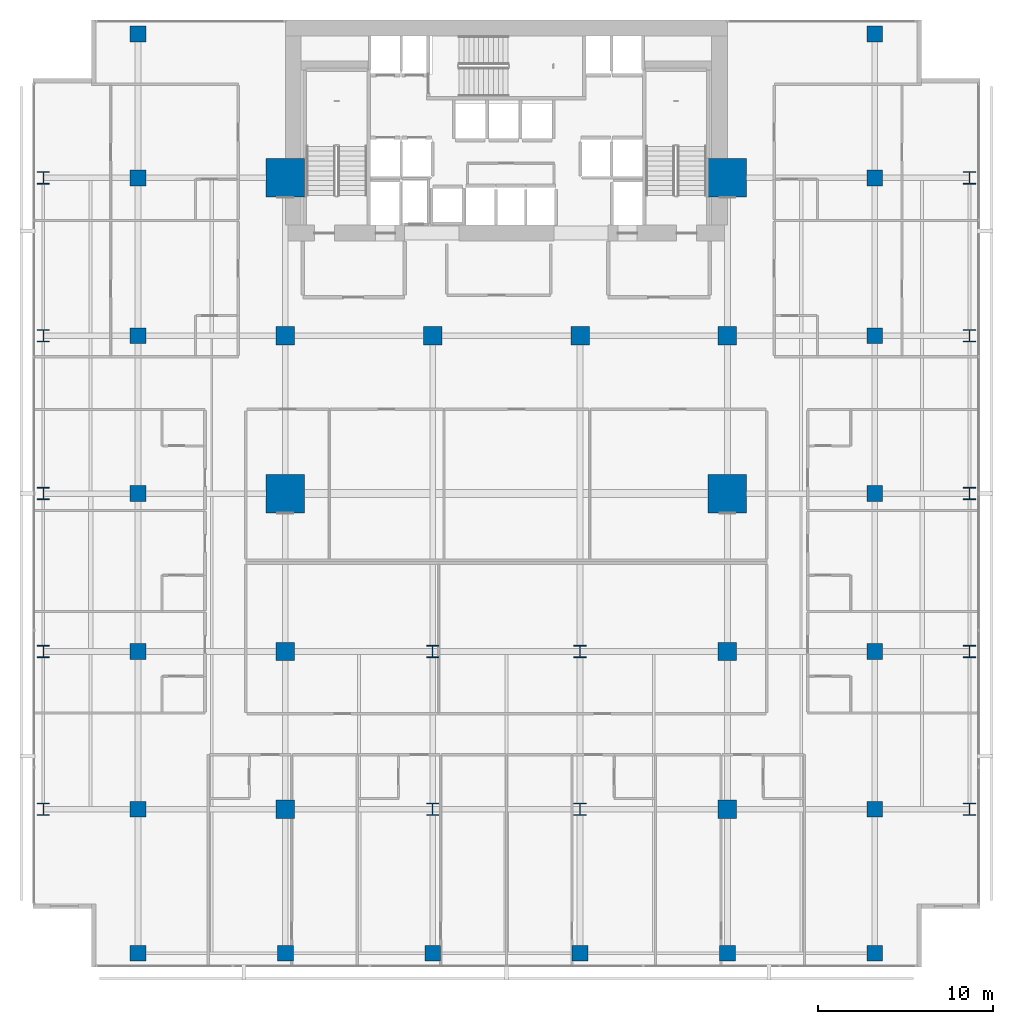
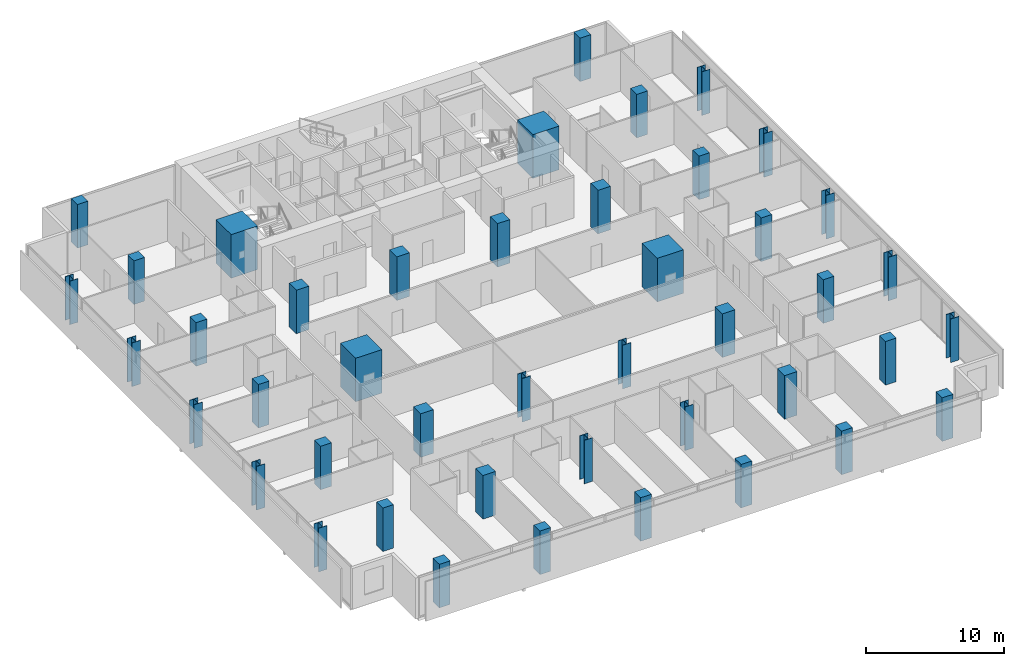
# One storey, part 1 of 40: 44 columns.
"""IFC4 building model written with IfcOpenShell, lengths in metres."""

from ifc_helpers import new_model, si_unit, direction, frame, origin, origin_2d, place, context, subcontext, project, spatial, rectangle, i_section, extrude, material, material_profile, profile_set, type_object, element, save


model = new_model("IFC4")

# Units and contexts
model_context = context("Model", 3, precision=1e-05, world=origin(), true_north=direction((0.0, 1.0)))
body_context = subcontext(model_context, "Body", "Model", "MODEL_VIEW")
ifc_project = project(units=[si_unit("LENGTHUNIT", "METRE"), si_unit("AREAUNIT", "SQUARE_METRE"), si_unit("VOLUMEUNIT", "CUBIC_METRE"), si_unit("PLANEANGLEUNIT", "RADIAN"), si_unit("MASSUNIT", "GRAM", prefix="KILO")], contexts=[model_context])

# Site, building, storey
site_placement = place(None, origin())
site = spatial("IfcSite", under=ifc_project, at=site_placement, CompositionType="ELEMENT")
building_placement = place(site_placement, origin())
building = spatial("IfcBuilding", under=site, at=building_placement, Name="Maruvema Waterfront Hotel and Observation Tower", CompositionType="ELEMENT")
storey_placement = place(building_placement, frame((0.0, 0.0, 88.550048828125)))
storey = spatial("IfcBuildingStorey", under=building, at=storey_placement, Name="L21", CompositionType="ELEMENT", Elevation=88.550048828125)

# Columns
ifc_material_1 = material(Name="Concrete C80/95", Category="concrete")
ifc_material_profile_1 = material_profile(ifc_material_1, rectangle(XDim=2.199951171875, YDim=2.199951171875, at=origin_2d()), Name="MC2200x2200")
ifc_profile_set_1 = profile_set([ifc_material_profile_1], Name="Concrete C80/95")
column_type_1 = type_object("IfcColumnType", Name="Continuous Mega-Column MC2200x2200", PredefinedType="COLUMN", material=ifc_profile_set_1)
for number, where, z_axis, x_axis, name in (
    (1, (25.199951171875, 27.0, 0.0), (0.0, 0.0, 1.0), (1.0, 0.0, 0.0), "L21 Continuous Mega-Column MC-01"),
    (2, (50.39990234375, 27.0, 0.0), (0.0, 0.0, 1.0), (1.0, 0.0, 0.0), "L21 Continuous Mega-Column MC-02"),
    (3, (25.199951171875, 45.0, 0.0), (0.0, 0.0, 1.0), (1.0, 0.0, 0.0), "L21 Continuous Mega-Column MC-03"),
    (4, (50.39990234375, 45.0, 0.0), (0.0, 0.0, 1.0), (1.0, 0.0, 0.0), "L21 Continuous Mega-Column MC-04"),
):
    element("IfcColumn", number, at=place(storey_placement, frame(where, z_axis=z_axis, x_axis=x_axis)), inside=storey, type_object=column_type_1, Name=name, PredefinedType="COLUMN", context=body_context, shape_type="SweptSolid", body=[
        extrude(rectangle(XDim=2.199951171875, YDim=2.199951171875, at=origin_2d()), origin(), (0.0, 0.0, 1.0), 3.849853515625),
    ])
ifc_material_2 = material(Name="Concrete C60/75", Category="concrete")
ifc_material_profile_2 = material_profile(ifc_material_2, rectangle(XDim=1.050048828125, YDim=1.050048828125, at=origin_2d()), Name="RC1050x1050")
ifc_profile_set_2 = profile_set([ifc_material_profile_2], Name="Concrete C60/75")
column_type_2 = type_object("IfcColumnType", Name="Reinforced Concrete Column RC1050x1050", PredefinedType="COLUMN", material=ifc_profile_set_2)
for number, where, z_axis, x_axis, name in (
    (5, (25.199951171875, 36.0, 0.0), (0.0, 0.0, 1.0), (1.0, 0.0, 0.0), "L21 Column C-4E"),
    (6, (33.60009765625, 36.0, 0.0), (0.0, 0.0, 1.0), (1.0, 0.0, 0.0), "L21 Column C-5E"),
    (7, (42.0, 36.0, 0.0), (0.0, 0.0, 1.0), (1.0, 0.0, 0.0), "L21 Column C-6E"),
    (8, (50.39990234375, 36.0, 0.0), (0.0, 0.0, 1.0), (1.0, 0.0, 0.0), "L21 Column C-7E"),
    (9, (25.199951171875, 18.0, 0.0), (0.0, 0.0, 1.0), (1.0, 0.0, 0.0), "L21 Column C-4C"),
    (10, (50.39990234375, 18.0, 0.0), (0.0, 0.0, 1.0), (1.0, 0.0, 0.0), "L21 Column C-7C"),
    (11, (25.199951171875, 9.0, 0.0), (0.0, 0.0, 1.0), (1.0, 0.0, 0.0), "L21 Column C-4B"),
    (12, (50.39990234375, 9.0, 0.0), (0.0, 0.0, 1.0), (1.0, 0.0, 0.0), "L21 Column C-7B"),
):
    element("IfcColumn", number, at=place(storey_placement, frame(where, z_axis=z_axis, x_axis=x_axis)), inside=storey, type_object=column_type_2, Name=name, PredefinedType="COLUMN", context=body_context, shape_type="SweptSolid", body=[
        extrude(rectangle(XDim=1.050048828125, YDim=1.050048828125, at=origin_2d()), origin(), (0.0, 0.0, 1.0), 3.849853515625),
    ])
ifc_material_3 = material(Name="Concrete C60/75", Category="concrete")
ifc_material_profile_3 = material_profile(ifc_material_3, rectangle(XDim=0.89990234375, YDim=0.89990234375, at=origin_2d()), Name="RC900x900")
ifc_profile_set_3 = profile_set([ifc_material_profile_3], Name="Concrete C60/75")
column_type_3 = type_object("IfcColumnType", Name="Reinforced Concrete Column RC900x900", PredefinedType="COLUMN", material=ifc_profile_set_3)
for number, where, z_axis, x_axis, name in (
    (13, (16.800048828125, 9.0, 0.0), (0.0, 0.0, 1.0), (1.0, 0.0, 0.0), "L21 Column C-3Y9"),
    (14, (58.800048828125, 9.0, 0.0), (0.0, 0.0, 1.0), (1.0, 0.0, 0.0), "L21 Column C-8Y9"),
    (15, (16.800048828125, 18.0, 0.0), (0.0, 0.0, 1.0), (1.0, 0.0, 0.0), "L21 Column C-3Y18"),
    (16, (58.800048828125, 18.0, 0.0), (0.0, 0.0, 1.0), (1.0, 0.0, 0.0), "L21 Column C-8Y18"),
    (17, (16.800048828125, 27.0, 0.0), (0.0, 0.0, 1.0), (1.0, 0.0, 0.0), "L21 Column C-3Y27"),
    (18, (58.800048828125, 27.0, 0.0), (0.0, 0.0, 1.0), (1.0, 0.0, 0.0), "L21 Column C-8Y27"),
    (19, (16.800048828125, 36.0, 0.0), (0.0, 0.0, 1.0), (1.0, 0.0, 0.0), "L21 Column C-3Y36"),
    (20, (58.800048828125, 36.0, 0.0), (0.0, 0.0, 1.0), (1.0, 0.0, 0.0), "L21 Column C-8Y36"),
    (21, (16.800048828125, 45.0, 0.0), (0.0, 0.0, 1.0), (1.0, 0.0, 0.0), "L21 Column C-3Y45"),
    (22, (58.800048828125, 45.0, 0.0), (0.0, 0.0, 1.0), (1.0, 0.0, 0.0), "L21 Column C-8Y45"),
    (23, (16.800048828125, 0.800048828125, 0.0), (0.0, 0.0, 1.0), (1.0, 0.0, 0.0), "L21 Column C-3A"),
    (24, (25.199951171875, 0.800048828125, 0.0), (0.0, 0.0, 1.0), (1.0, 0.0, 0.0), "L21 Column C-4A"),
    (25, (33.60009765625, 0.800048828125, 0.0), (0.0, 0.0, 1.0), (1.0, 0.0, 0.0), "L21 Column C-5A"),
    (26, (42.0, 0.800048828125, 0.0), (0.0, 0.0, 1.0), (1.0, 0.0, 0.0), "L21 Column C-6A"),
    (27, (50.39990234375, 0.800048828125, 0.0), (0.0, 0.0, 1.0), (1.0, 0.0, 0.0), "L21 Column C-7A"),
    (28, (58.800048828125, 0.800048828125, 0.0), (0.0, 0.0, 1.0), (1.0, 0.0, 0.0), "L21 Column C-8A"),
    (29, (16.800048828125, 53.199951171875, 0.0), (0.0, 0.0, 1.0), (1.0, 0.0, 0.0), "L21 Column C-3G"),
    (30, (58.800048828125, 53.199951171875, 0.0), (0.0, 0.0, 1.0), (1.0, 0.0, 0.0), "L21 Column C-8G"),
):
    element("IfcColumn", number, at=place(storey_placement, frame(where, z_axis=z_axis, x_axis=x_axis)), inside=storey, type_object=column_type_3, Name=name, PredefinedType="COLUMN", context=body_context, shape_type="SweptSolid", body=[
        extrude(rectangle(XDim=0.89990234375, YDim=0.89990234375, at=origin_2d()), origin(), (0.0, 0.0, 1.0), 3.849853515625),
    ])
ifc_material_4 = material(Name="Steel ABNT NBR 7007 AR 415 (ASTM A572 Grade 50)", Category="steel")
ifc_material_profile_4 = material_profile(ifc_material_4, i_section(OverallWidth=0.699951171875, OverallDepth=0.699951171875, WebThickness=0.028076171875, FlangeThickness=0.0439453125, at=origin_2d()), Name="CVS700x436")
ifc_profile_set_4 = profile_set([ifc_material_profile_4], Name="Steel ABNT NBR 7007 AR 415 (ASTM A572 Grade 50)")
column_type_4 = type_object("IfcColumnType", Name="Structural Steel Column CVS700x436", PredefinedType="COLUMN", material=ifc_profile_set_4)
for number, where, z_axis, x_axis, name in (
    (31, (33.60009765625, 9.0, 0.0), (0.0, 0.0, 1.0), (1.0, 0.0, 0.0), "L21 Column C-5B"),
    (32, (42.0, 9.0, 0.0), (0.0, 0.0, 1.0), (1.0, 0.0, 0.0), "L21 Column C-6B"),
    (33, (33.60009765625, 18.0, 0.0), (0.0, 0.0, 1.0), (1.0, 0.0, 0.0), "L21 Column C-5C"),
    (34, (42.0, 18.0, 0.0), (0.0, 0.0, 1.0), (1.0, 0.0, 0.0), "L21 Column C-6C"),
    (35, (11.39990234375, 9.0, 0.0), (0.0, 0.0, 1.0), (1.0, 0.0, 0.0), "L21 Column C-Z1W9"),
    (36, (64.199951171875, 9.0, 0.0), (0.0, 0.0, 1.0), (1.0, 0.0, 0.0), "L21 Column C-Z1E9"),
    (37, (11.39990234375, 18.0, 0.0), (0.0, 0.0, 1.0), (1.0, 0.0, 0.0), "L21 Column C-Z1W18"),
    (38, (64.199951171875, 18.0, 0.0), (0.0, 0.0, 1.0), (1.0, 0.0, 0.0), "L21 Column C-Z1E18"),
    (39, (11.39990234375, 27.0, 0.0), (0.0, 0.0, 1.0), (1.0, 0.0, 0.0), "L21 Column C-Z1W27"),
    (40, (64.199951171875, 27.0, 0.0), (0.0, 0.0, 1.0), (1.0, 0.0, 0.0), "L21 Column C-Z1E27"),
    (41, (11.39990234375, 36.0, 0.0), (0.0, 0.0, 1.0), (1.0, 0.0, 0.0), "L21 Column C-Z1W36"),
    (42, (64.199951171875, 36.0, 0.0), (0.0, 0.0, 1.0), (1.0, 0.0, 0.0), "L21 Column C-Z1E36"),
    (43, (11.39990234375, 45.0, 0.0), (0.0, 0.0, 1.0), (1.0, 0.0, 0.0), "L21 Column C-Z1W45"),
    (44, (64.199951171875, 45.0, 0.0), (0.0, 0.0, 1.0), (1.0, 0.0, 0.0), "L21 Column C-Z1E45"),
):
    element("IfcColumn", number, at=place(storey_placement, frame(where, z_axis=z_axis, x_axis=x_axis)), inside=storey, type_object=column_type_4, Name=name, PredefinedType="COLUMN", context=body_context, shape_type="SweptSolid", body=[
        extrude(i_section(OverallWidth=0.699951171875, OverallDepth=0.699951171875, WebThickness=0.028076171875, FlangeThickness=0.0439453125, at=origin_2d()), origin(), (0.0, 0.0, 1.0), 3.849853515625),
    ])

save(model, "model.ifc")
